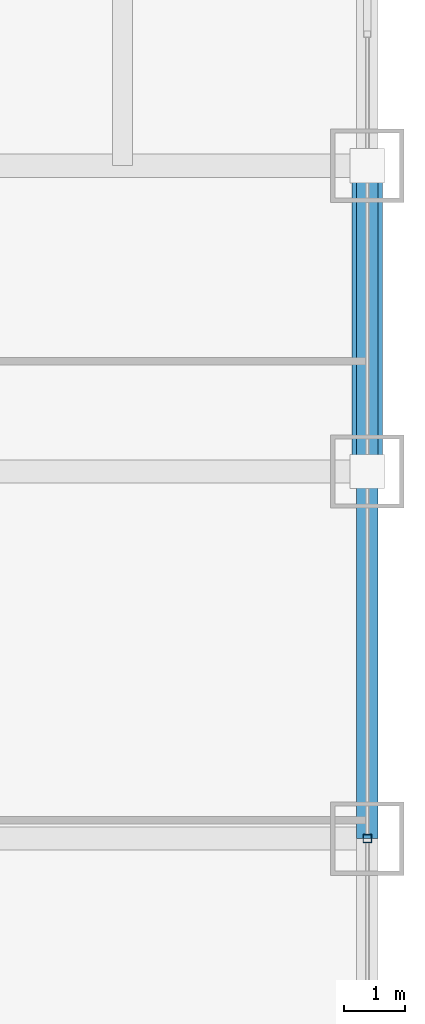
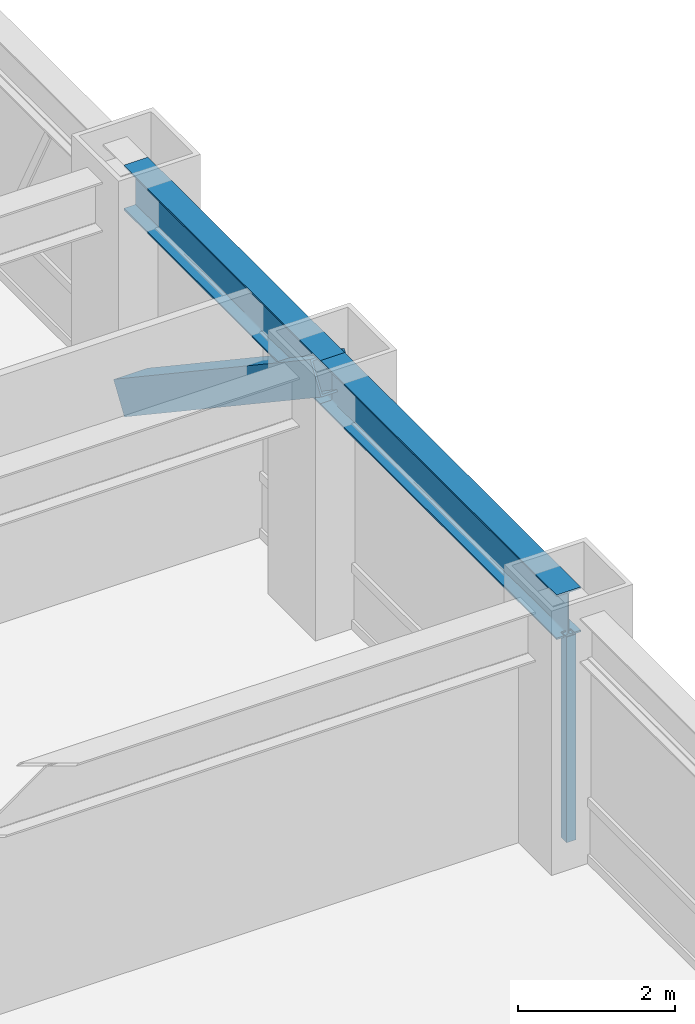
# One storey, part 14 of 32: 2 beams, 2 members, 1 element without a shape of its own.
"""IFC4 building model written with IfcOpenShell, lengths in metres."""

from ifc_helpers import new_model, si_unit, direction, frame, origin, origin_2d, place, context, subcontext, project, spatial, hollow_rectangle, i_section, extrude, source, transform, mapped, material, material_profile, profile_set, type_object, element, aggregate, save


model = new_model("IFC4")

# Units and contexts
model_context = context("Model", 3, precision=1e-05, world=origin(), true_north=direction((0.0, 1.0)))
body_context = subcontext(model_context, "Body", "Model", "MODEL_VIEW")
ifc_project = project(units=[si_unit("LENGTHUNIT", "METRE"), si_unit("AREAUNIT", "SQUARE_METRE"), si_unit("VOLUMEUNIT", "CUBIC_METRE"), si_unit("PLANEANGLEUNIT", "RADIAN"), si_unit("MASSUNIT", "GRAM", prefix="KILO")], contexts=[model_context])

# Site, building, storey
site_placement = place(None, origin())
site = spatial("IfcSite", under=ifc_project, at=site_placement, CompositionType="ELEMENT")
building_placement = place(site_placement, origin())
building = spatial("IfcBuilding", under=site, at=building_placement, Name="Khorayat Bourse Tower", CompositionType="ELEMENT")
storey_placement = place(building_placement, frame((0.0, 0.0, 91.39990234375)))
storey = spatial("IfcBuildingStorey", under=building, at=storey_placement, Name="L20", CompositionType="ELEMENT", Elevation=91.39990234375)

# Beams
ifc_material_1 = material(Name="Steel ASTM A992 Grade 50", Category="steel")
ifc_material_profile_1 = material_profile(ifc_material_1, i_section(OverallWidth=0.35498046875, OverallDepth=0.695068359375, WebThickness=0.015380859375, FlangeThickness=0.02490234375, FilletRadius=0.01806640625, at=origin_2d()), Name="W690X217")
ifc_profile_set_1 = profile_set([ifc_material_profile_1], Name="Steel ASTM A992 Grade 50")
beam_type = type_object("IfcBeamType", Name="BM-SPAN-690", PredefinedType="SPANDREL", material=ifc_profile_set_1)
shared_shape_1 = source(origin(), body_context, "Body", "SweptSolid", [
    extrude(i_section(OverallWidth=0.35498046875, OverallDepth=0.695068359375, WebThickness=0.015380859375, FlangeThickness=0.02490234375, FilletRadius=0.01806640625, at=origin_2d()), origin(), (0.0, 0.0, 1.0), 5.0),
])
beam_1_placement = place(storey_placement, frame((32.0, 6.0, 3.49267578125), z_axis=(0.0, 1.0, 0.0), x_axis=(-1.0, 0.0, 0.0)))
element("IfcBeam", 1, at=beam_1_placement, inside=storey, type_object=beam_type, Name="L20 BM-SPAN-690 BM-L20-SPN-039", PredefinedType="SPANDREL", context=body_context, shape_type="MappedRepresentation", body=[
    mapped(shared_shape_1, transform((0.0, 0.0, 0.0), scale=1.0)),
])
shared_shape_2 = source(origin(), body_context, "Body", "SweptSolid", [
    extrude(i_section(OverallWidth=0.35498046875, OverallDepth=0.695068359375, WebThickness=0.015380859375, FlangeThickness=0.02490234375, FilletRadius=0.01806640625, at=origin_2d()), origin(), (0.0, 0.0, 1.0), 6.0),
])
beam_2_placement = place(storey_placement, frame((32.0, 0.0, 3.49267578125), z_axis=(0.0, 1.0, 0.0), x_axis=(-1.0, 0.0, 0.0)))
element("IfcBeam", 2, at=beam_2_placement, inside=storey, type_object=beam_type, Name="L20 BM-SPAN-690 BM-L20-SPN-038", PredefinedType="SPANDREL", context=body_context, shape_type="MappedRepresentation", body=[
    mapped(shared_shape_2, transform((0.0, 0.0, 0.0), scale=1.0)),
])

# Member
ifc_material_2 = material(Name="Steel EN 10025-4 S460M", Category="steel")
ifc_material_profile_2 = material_profile(ifc_material_2, hollow_rectangle(XDim=0.5, YDim=0.5, WallThickness=0.028076171875, at=origin_2d()), Name="HSS 500x500x28")
ifc_profile_set_2 = profile_set([ifc_material_profile_2], Name="Steel EN 10025-4 S460M")
member_type_1 = type_object("IfcMemberType", Name="MBR-TUBE-500", PredefinedType="BRACE", material=ifc_profile_set_2)
shared_shape_3 = source(origin(), body_context, "Body", "SweptSolid", [
    extrude(hollow_rectangle(XDim=0.5, YDim=0.5, WallThickness=0.028076171875, at=origin_2d()), origin(), (0.0, 0.0, 1.0), 6.012939453125),
])
member_1_placement = place(storey_placement, frame((32.0, 6.0, 3.590087890625), z_axis=(0.0, 0.831531473026, -0.555477640745), x_axis=(-1.0, 0.0, 0.0)))
element("IfcMember", 3, at=member_1_placement, inside=storey, type_object=member_type_1, Name="L20 Perimeter Tube Brace 08", PredefinedType="BRACE", context=body_context, shape_type="MappedRepresentation", body=[
    mapped(shared_shape_3, transform((0.0, 0.0, 0.0), scale=1.0)),
])

# Curtain wall, member
ifc_material_3 = material(Name="Aluminium EN AW-6063 T6", Category="aluminium")
curtain_wall_type = type_object("IfcCurtainWallType", Name="CW-SYS-02", PredefinedType="NOTDEFINED", material=ifc_material_3)
curtain_wall_placement = place(storey_placement, origin())
curtain_wall = element("IfcCurtainWall", 4, at=curtain_wall_placement, inside=storey, type_object=curtain_wall_type, Name="L20 Curtain Wall CW-L20-E1", PredefinedType="NOTDEFINED")
ifc_material_profile_3 = material_profile(ifc_material_3, hollow_rectangle(XDim=0.139892578125, YDim=0.139892578125, WallThickness=0.006103515625, at=origin_2d()), Name="ALU 140x140x6")
ifc_profile_set_3 = profile_set([ifc_material_profile_3], Name="Aluminium EN AW-6063 T6")
member_type_2 = type_object("IfcMemberType", Name="CWM-VERT-140", PredefinedType="MULLION", material=ifc_profile_set_3)
shared_shape_4 = source(origin(), body_context, "Body", "SweptSolid", [
    extrude(hollow_rectangle(XDim=0.139892578125, YDim=0.139892578125, WallThickness=0.006103515625, at=origin_2d()), origin(), (0.0, 0.0, 1.0), 3.190185546875),
])
member_2_placement = place(storey_placement, frame((32.0, 0.0, 0.0), z_axis=(0.0, 0.0, 1.0), x_axis=(-1.0, 0.0, 0.0)))
member_2 = element("IfcMember", 5, at=member_2_placement, type_object=member_type_2, Name="CW-L20-E1 Vertical Mullion 2", PredefinedType="MULLION", context=body_context, shape_type="MappedRepresentation", body=[
    mapped(shared_shape_4, transform((0.0, 0.0, 0.0), scale=1.0)),
])
aggregate(curtain_wall, [member_2])

save(model, "model.ifc")
